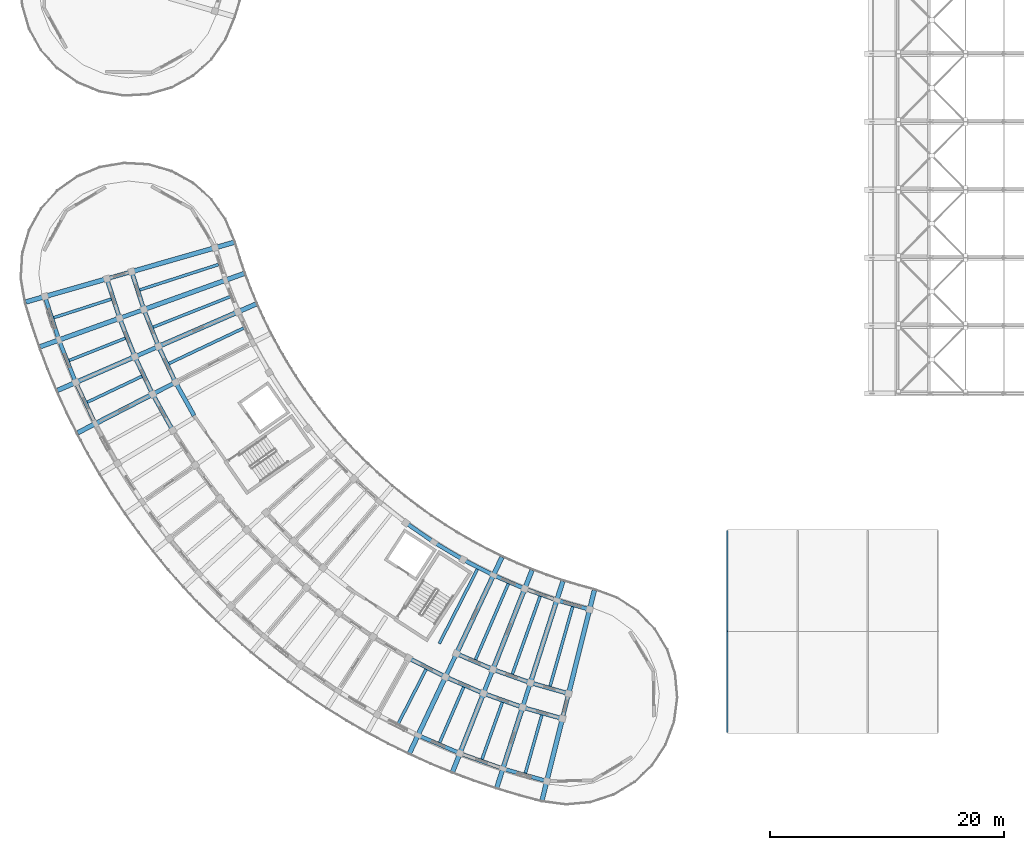
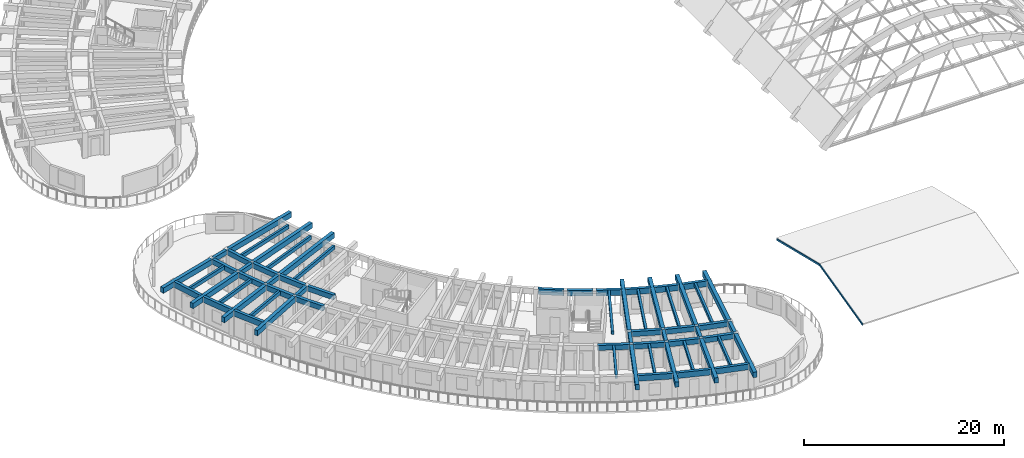
# One storey, part 6 of 81: 64 beams, 2 members.
"""IFC4 building model written with IfcOpenShell, lengths in metres."""

from ifc_helpers import new_model, si_unit, direction, frame, origin, origin_2d, place, context, subcontext, project, spatial, rectangle, hollow_rectangle, extrude, material, material_profile, profile_set, type_object, element, save


model = new_model("IFC4")

# Units and contexts
model_context = context("Model", 3, precision=1e-05, world=origin(), true_north=direction((0.0, 1.0)))
body_context = subcontext(model_context, "Body", "Model", "MODEL_VIEW")
ifc_project = project(units=[si_unit("LENGTHUNIT", "METRE"), si_unit("AREAUNIT", "SQUARE_METRE"), si_unit("VOLUMEUNIT", "CUBIC_METRE"), si_unit("PLANEANGLEUNIT", "RADIAN"), si_unit("MASSUNIT", "GRAM", prefix="KILO")], contexts=[model_context])

# Site, building, storey
site_placement = place(None, origin())
site = spatial("IfcSite", under=ifc_project, at=site_placement, CompositionType="ELEMENT")
building_placement = place(site_placement, origin())
building = spatial("IfcBuilding", under=site, at=building_placement, Name="Tanwirah Colonnade Gardens", CompositionType="ELEMENT")
storey_placement = place(building_placement, frame((0.0, 0.0, 8.840087890625)))
storey = spatial("IfcBuildingStorey", under=building, at=storey_placement, Name="L02", CompositionType="ELEMENT", Elevation=8.840087890625)

# Beams
ifc_material_1 = material(Name="Precast concrete C40/50", Category="concrete")
ifc_material_profile_1 = material_profile(ifc_material_1, rectangle(XDim=0.360107421875, YDim=0.610107421875, at=origin_2d()), Name="PC-BM 360x610")
ifc_profile_set_1 = profile_set([ifc_material_profile_1], Name="Precast concrete C40/50")
beam_type_1 = type_object("IfcBeamType", Name="BM-PC300", PredefinedType="BEAM", material=ifc_profile_set_1)
beam_1_placement = place(storey_placement, frame((15.20458984375, 50.0654296875, 2.7998046875), z_axis=(0.306977410573, -0.951716801048, 0.0), x_axis=(0.951716801048, 0.306977410573, 0.0)))
element("IfcBeam", 1, at=beam_1_placement, inside=storey, type_object=beam_type_1, Name="Block C L02 Circumferential Beam 0-R1", PredefinedType="BEAM", context=body_context, shape_type="SweptSolid", body=[
    extrude(rectangle(XDim=0.360107421875, YDim=0.610107421875, at=origin_2d()), origin(), (0.0, 0.0, 1.0), 3.093017578125),
])
beam_2_placement = place(storey_placement, frame((13.08984375, 49.458984375, 2.7998046875), z_axis=(0.306980742305, -0.951715726388, 0.0), x_axis=(0.951715726388, 0.306980742305, 0.0)))
element("IfcBeam", 2, at=beam_2_placement, inside=storey, type_object=beam_type_1, Name="Block C L02 Circumferential Beam 0-R2", PredefinedType="BEAM", context=body_context, shape_type="SweptSolid", body=[
    extrude(rectangle(XDim=0.360107421875, YDim=0.610107421875, at=origin_2d()), origin(), (0.0, 0.0, 1.0), 3.23681640625),
])
beam_3_placement = place(storey_placement, frame((16.25537109375, 46.839599609375, 2.7998046875), z_axis=(0.368544574427, -0.929610077753, 0.0), x_axis=(0.929610077753, 0.368544574427, 0.0)))
element("IfcBeam", 3, at=beam_3_placement, inside=storey, type_object=beam_type_1, Name="Block C L02 Circumferential Beam 1-R1", PredefinedType="BEAM", context=body_context, shape_type="SweptSolid", body=[
    extrude(rectangle(XDim=0.360107421875, YDim=0.610107421875, at=origin_2d()), origin(), (0.0, 0.0, 1.0), 3.093017578125),
])
beam_4_placement = place(storey_placement, frame((14.184814453125, 46.09619140625, 2.7998046875), z_axis=(0.368527954052, -0.929616666741, 0.0), x_axis=(0.929616666741, 0.368527954052, 0.0)))
element("IfcBeam", 4, at=beam_4_placement, inside=storey, type_object=beam_type_1, Name="Block C L02 Circumferential Beam 1-R2", PredefinedType="BEAM", context=body_context, shape_type="SweptSolid", body=[
    extrude(rectangle(XDim=0.360107421875, YDim=0.610107421875, at=origin_2d()), origin(), (0.0, 0.0, 1.0), 3.23681640625),
])
beam_5_placement = place(storey_placement, frame((17.5146484375, 43.689453125, 2.7998046875), z_axis=(0.428520598641, -0.903532011907, 0.0), x_axis=(0.903532011907, 0.428520598641, 0.0)))
element("IfcBeam", 5, at=beam_5_placement, inside=storey, type_object=beam_type_1, Name="Block C L02 Circumferential Beam 2-R1", PredefinedType="BEAM", context=body_context, shape_type="SweptSolid", body=[
    extrude(rectangle(XDim=0.360107421875, YDim=0.610107421875, at=origin_2d()), origin(), (0.0, 0.0, 1.0), 3.093017578125),
])
beam_6_placement = place(storey_placement, frame((15.4970703125, 42.81201171875, 2.7998046875), z_axis=(0.428562893949, -0.903511951183, 0.0), x_axis=(0.903511951183, 0.428562893949, 0.0)))
element("IfcBeam", 6, at=beam_6_placement, inside=storey, type_object=beam_type_1, Name="Block C L02 Circumferential Beam 2-R2", PredefinedType="BEAM", context=body_context, shape_type="SweptSolid", body=[
    extrude(rectangle(XDim=0.360107421875, YDim=0.610107421875, at=origin_2d()), origin(), (0.0, 0.0, 1.0), 3.23681640625),
])
beam_7_placement = place(storey_placement, frame((18.9775390625, 40.628173828125, 2.7998046875), z_axis=(0.486708181837, -0.873564620239, 0.0), x_axis=(0.873564620239, 0.486708181837, 0.0)))
element("IfcBeam", 7, at=beam_7_placement, inside=storey, type_object=beam_type_1, Name="Block C L02 Circumferential Beam 3-R1", PredefinedType="BEAM", context=body_context, shape_type="SweptSolid", body=[
    extrude(rectangle(XDim=0.360107421875, YDim=0.610107421875, at=origin_2d()), origin(), (0.0, 0.0, 1.0), 3.093017578125),
])
beam_8_placement = place(storey_placement, frame((17.021728515625, 39.620849609375, 2.7998046875), z_axis=(0.486712025227, -0.873562478875, 0.0), x_axis=(0.873562478875, 0.486712025227, 0.0)))
element("IfcBeam", 8, at=beam_8_placement, inside=storey, type_object=beam_type_1, Name="Block C L02 Circumferential Beam 3-R2", PredefinedType="BEAM", context=body_context, shape_type="SweptSolid", body=[
    extrude(rectangle(XDim=0.360107421875, YDim=0.610107421875, at=origin_2d()), origin(), (0.0, 0.0, 1.0), 3.23681640625),
])
beam_9_placement = place(storey_placement, frame((38.929443359375, 17.158447265625, 2.7998046875), z_axis=(0.890025451153, -0.45591084249, 0.0), x_axis=(0.45591084249, 0.890025451153, 0.0)))
element("IfcBeam", 9, at=beam_9_placement, inside=storey, type_object=beam_type_1, Name="Block C L02 Circumferential Beam 12-R2", PredefinedType="BEAM", context=body_context, shape_type="SweptSolid", body=[
    extrude(rectangle(XDim=0.360107421875, YDim=0.610107421875, at=origin_2d()), origin(), (0.0, 0.0, 1.0), 3.237060546875),
])
beam_10_placement = place(storey_placement, frame((43.02001953125, 17.54443359375, 2.7998046875), z_axis=(0.917936292782, -0.396727819032, 0.0), x_axis=(0.396727819032, 0.917936292782, 0.0)))
element("IfcBeam", 10, at=beam_10_placement, inside=storey, type_object=beam_type_1, Name="Block C L02 Circumferential Beam 13-R1", PredefinedType="BEAM", context=body_context, shape_type="SweptSolid", body=[
    extrude(rectangle(XDim=0.360107421875, YDim=0.610107421875, at=origin_2d()), origin(), (0.0, 0.0, 1.0), 3.093017578125),
])
beam_11_placement = place(storey_placement, frame((42.08154296875, 15.5546875, 2.7998046875), z_axis=(0.917943156181, -0.396711938338, 0.0), x_axis=(0.396711938338, 0.917943156181, 0.0)))
element("IfcBeam", 11, at=beam_11_placement, inside=storey, type_object=beam_type_1, Name="Block C L02 Circumferential Beam 13-R2", PredefinedType="BEAM", context=body_context, shape_type="SweptSolid", body=[
    extrude(rectangle(XDim=0.360107421875, YDim=0.610107421875, at=origin_2d()), origin(), (0.0, 0.0, 1.0), 3.237060546875),
])
beam_12_placement = place(storey_placement, frame((46.13818359375, 16.20751953125, 2.7998046875), z_axis=(0.941911444877, -0.335861325564, 0.0), x_axis=(0.335861325564, 0.941911444877, 0.0)))
element("IfcBeam", 12, at=beam_12_placement, inside=storey, type_object=beam_type_1, Name="Block C L02 Circumferential Beam 14-R1", PredefinedType="BEAM", context=body_context, shape_type="SweptSolid", body=[
    extrude(rectangle(XDim=0.360107421875, YDim=0.610107421875, at=origin_2d()), origin(), (0.0, 0.0, 1.0), 3.093017578125),
])
beam_13_placement = place(storey_placement, frame((45.331787109375, 14.16064453125, 2.7998046875), z_axis=(0.941917534978, -0.335844245597, 0.0), x_axis=(0.335844245597, 0.941917534978, 0.0)))
element("IfcBeam", 13, at=beam_13_placement, inside=storey, type_object=beam_type_1, Name="Block C L02 Circumferential Beam 14-R2", PredefinedType="BEAM", context=body_context, shape_type="SweptSolid", body=[
    extrude(rectangle(XDim=0.360107421875, YDim=0.610107421875, at=origin_2d()), origin(), (0.0, 0.0, 1.0), 3.237060546875),
])
beam_14_placement = place(storey_placement, frame((49.337158203125, 15.0771484375, 2.7998046875), z_axis=(0.961865763464, -0.273521942585, 0.0), x_axis=(0.273521942585, 0.961865763464, 0.0)))
element("IfcBeam", 14, at=beam_14_placement, inside=storey, type_object=beam_type_1, Name="Block C L02 Circumferential Beam 15-R1", PredefinedType="BEAM", context=body_context, shape_type="SweptSolid", body=[
    extrude(rectangle(XDim=0.360107421875, YDim=0.610107421875, at=origin_2d()), origin(), (0.0, 0.0, 1.0), 3.0927734375),
])
beam_15_placement = place(storey_placement, frame((48.666259765625, 12.98193359375, 2.7998046875), z_axis=(0.96185623635, -0.273555443366, 0.0), x_axis=(0.273555443366, 0.96185623635, 0.0)))
element("IfcBeam", 15, at=beam_15_placement, inside=storey, type_object=beam_type_1, Name="Block C L02 Circumferential Beam 15-R2", PredefinedType="BEAM", context=body_context, shape_type="SweptSolid", body=[
    extrude(rectangle(XDim=0.360107421875, YDim=0.610107421875, at=origin_2d()), origin(), (0.0, 0.0, 1.0), 3.237060546875),
])
ifc_material_profile_2 = material_profile(ifc_material_1, rectangle(XDim=0.35009765625, YDim=0.550048828125, at=origin_2d()), Name="PC-BM 350x550")
ifc_profile_set_2 = profile_set([ifc_material_profile_2], Name="Precast concrete C40/50")
beam_type_2 = type_object("IfcBeamType", Name="BM-PC350A", PredefinedType="BEAM", material=ifc_profile_set_2)
for number, where, z_axis, x_axis, name in (
    (16, (15.014404296875, 50.166748046875, 2.829833984375), (-0.961266538157, -0.275620468433, 0.0), (0.275620468433, -0.961266538157, 0.0), "Block C L02 Corridor Tie Beam 0"),
    (17, (16.058837890625, 46.92822265625, 2.829833984375), (-0.941214575511, -0.337809299525, 0.0), (0.337809299525, -0.941214575511, 0.0), "Block C L02 Corridor Tie Beam 1"),
):
    element("IfcBeam", number, at=place(storey_placement, frame(where, z_axis=z_axis, x_axis=x_axis)), inside=storey, type_object=beam_type_2, Name=name, PredefinedType="BEAM", context=body_context, shape_type="SweptSolid", body=[
        extrude(rectangle(XDim=0.35009765625, YDim=0.550048828125, at=origin_2d()), origin(), (0.0, 0.0, 1.0), 1.89990234375),
    ])
beam_16_placement = place(storey_placement, frame((17.31298828125, 43.76513671875, 2.829833984375), z_axis=(-0.917025109963, -0.398829471952, 0.0), x_axis=(0.398829471952, -0.917025109963, 0.0)))
element("IfcBeam", 18, at=beam_16_placement, inside=storey, type_object=beam_type_2, Name="Block C L02 Corridor Tie Beam 2", PredefinedType="BEAM", context=body_context, shape_type="SweptSolid", body=[
    extrude(rectangle(XDim=0.35009765625, YDim=0.550048828125, at=origin_2d()), origin(), (0.0, 0.0, 1.0), 1.900146484375),
])
for number, where, z_axis, x_axis, name in (
    (19, (18.77099609375, 40.690673828125, 2.829833984375), (-0.888965044602, -0.457975053334, 0.0), (0.457975053334, -0.888965044602, 0.0), "Block C L02 Corridor Tie Beam 3"),
    (20, (42.818359375, 17.46826171875, 2.829833984375), (-0.426483812015, -0.904495195172, 0.0), (0.904495195172, -0.426483812015, 0.0), "Block C L02 Corridor Tie Beam 13"),
):
    element("IfcBeam", number, at=place(storey_placement, frame(where, z_axis=z_axis, x_axis=x_axis)), inside=storey, type_object=beam_type_2, Name=name, PredefinedType="BEAM", context=body_context, shape_type="SweptSolid", body=[
        extrude(rectangle(XDim=0.35009765625, YDim=0.550048828125, at=origin_2d()), origin(), (0.0, 0.0, 1.0), 1.89990234375),
    ])
beam_17_placement = place(storey_placement, frame((45.94189453125, 16.1181640625, 2.829833984375), z_axis=(-0.366511033969, -0.930413704746, 0.0), x_axis=(0.930413704746, -0.366511033969, 0.0)))
element("IfcBeam", 21, at=beam_17_placement, inside=storey, type_object=beam_type_2, Name="Block C L02 Corridor Tie Beam 14", PredefinedType="BEAM", context=body_context, shape_type="SweptSolid", body=[
    extrude(rectangle(XDim=0.35009765625, YDim=0.550048828125, at=origin_2d()), origin(), (0.0, 0.0, 1.0), 1.899658203125),
])
for number, where, z_axis, x_axis, name in (
    (22, (49.14697265625, 14.975341796875, 2.829833984375), (-0.304794376797, -0.952418179096, 0.0), (0.952418179096, -0.304794376797, 0.0), "Block C L02 Corridor Tie Beam 15"),
    (23, (52.420166015625, 14.044677734375, 2.829833984375), (-0.241961122321, -0.970285945114, 0.0), (0.970285945114, -0.241961122321, 0.0), "Block C L02 Corridor Tie Beam 16"),
):
    element("IfcBeam", number, at=place(storey_placement, frame(where, z_axis=z_axis, x_axis=x_axis)), inside=storey, type_object=beam_type_2, Name=name, PredefinedType="BEAM", context=body_context, shape_type="SweptSolid", body=[
        extrude(rectangle(XDim=0.35009765625, YDim=0.550048828125, at=origin_2d()), origin(), (0.0, 0.0, 1.0), 1.89990234375),
    ])
ifc_material_2 = material(Name="Precast concrete C45/55", Category="concrete")
ifc_material_profile_3 = material_profile(ifc_material_2, rectangle(XDim=0.39990234375, YDim=0.64990234375, at=origin_2d()), Name="PC-BM 400x650")
ifc_profile_set_3 = profile_set([ifc_material_profile_3], Name="Precast concrete C45/55")
beam_type_3 = type_object("IfcBeamType", Name="BM-PC400", PredefinedType="BEAM", material=ifc_profile_set_3)
beam_18_placement = place(storey_placement, frame((15.302734375, 50.24951171875, 2.780029296875), z_axis=(0.961258954076, 0.275646917646, 0.0), x_axis=(-0.275646917646, 0.961258954076, 0.0)))
element("IfcBeam", 24, at=beam_18_placement, inside=storey, type_object=beam_type_3, Name="Block C L02 Inner Radial Precast Girder 0", PredefinedType="BEAM", context=body_context, shape_type="SweptSolid", body=[
    extrude(rectangle(XDim=0.39990234375, YDim=0.64990234375, at=origin_2d()), origin(), (0.0, 0.0, 1.0), 8.949951171875),
])
beam_19_placement = place(storey_placement, frame((12.899658203125, 49.560546875, 2.780029296875), z_axis=(-0.961256910003, -0.275654045811, 0.0), x_axis=(0.275654045811, -0.961256910003, 0.0)))
element("IfcBeam", 25, at=beam_19_placement, inside=storey, type_object=beam_type_3, Name="Block C L02 Outer Radial Precast Girder 0", PredefinedType="BEAM", context=body_context, shape_type="SweptSolid", body=[
    extrude(rectangle(XDim=0.39990234375, YDim=0.64990234375, at=origin_2d()), origin(), (0.0, 0.0, 1.0), 7.050048828125),
])
beam_20_placement = place(storey_placement, frame((16.34130859375, 47.02978515625, 2.780029296875), z_axis=(0.941180212187, 0.337905028356, 0.0), x_axis=(-0.337905028356, 0.941180212187, 0.0)))
element("IfcBeam", 26, at=beam_20_placement, inside=storey, type_object=beam_type_3, Name="Block C L02 Inner Radial Precast Girder 1", PredefinedType="BEAM", context=body_context, shape_type="SweptSolid", body=[
    extrude(rectangle(XDim=0.39990234375, YDim=0.64990234375, at=origin_2d()), origin(), (0.0, 0.0, 1.0), 8.94970703125),
])
beam_21_placement = place(storey_placement, frame((13.98828125, 46.184814453125, 2.780029296875), z_axis=(-0.941174903614, -0.337919814168, 0.0), x_axis=(0.337919814168, -0.941174903614, 0.0)))
element("IfcBeam", 27, at=beam_21_placement, inside=storey, type_object=beam_type_3, Name="Block C L02 Outer Radial Precast Girder 1", PredefinedType="BEAM", context=body_context, shape_type="SweptSolid", body=[
    extrude(rectangle(XDim=0.39990234375, YDim=0.64990234375, at=origin_2d()), origin(), (0.0, 0.0, 1.0), 7.050048828125),
])
beam_22_placement = place(storey_placement, frame((17.587890625, 43.884765625, 2.780029296875), z_axis=(0.917069622575, 0.398727108872, 0.0), x_axis=(-0.398727108872, 0.917069622575, 0.0)))
element("IfcBeam", 28, at=beam_22_placement, inside=storey, type_object=beam_type_3, Name="Block C L02 Inner Radial Precast Girder 2", PredefinedType="BEAM", context=body_context, shape_type="SweptSolid", body=[
    extrude(rectangle(XDim=0.39990234375, YDim=0.64990234375, at=origin_2d()), origin(), (0.0, 0.0, 1.0), 8.949951171875),
])
for number, where, z_axis, x_axis, name in (
    (29, (15.29541015625, 42.8876953125, 2.780029296875), (-0.91706895514, -0.398728643965, 0.0), (0.398728643965, -0.91706895514, 0.0), "Block C L02 Outer Radial Precast Girder 2"),
    (30, (16.815185546875, 39.683349609375, 2.780029296875), (-0.889016420099, -0.457875315774, 0.0), (0.457875315774, -0.889016420099, 0.0), "Block C L02 Outer Radial Precast Girder 3"),
):
    element("IfcBeam", number, at=place(storey_placement, frame(where, z_axis=z_axis, x_axis=x_axis)), inside=storey, type_object=beam_type_3, Name=name, PredefinedType="BEAM", context=body_context, shape_type="SweptSolid", body=[
        extrude(rectangle(XDim=0.39990234375, YDim=0.64990234375, at=origin_2d()), origin(), (0.0, 0.0, 1.0), 7.050048828125),
    ])
beam_23_placement = place(storey_placement, frame((42.9462890625, 17.73974609375, 2.780029296875), z_axis=(0.426582468098, 0.904448670689, 0.0), x_axis=(-0.904448670689, 0.426582468098, 0.0)))
element("IfcBeam", 31, at=beam_23_placement, inside=storey, type_object=beam_type_3, Name="Block C L02 Inner Radial Precast Girder 13", PredefinedType="BEAM", context=body_context, shape_type="SweptSolid", body=[
    extrude(rectangle(XDim=0.39990234375, YDim=0.64990234375, at=origin_2d()), origin(), (0.0, 0.0, 1.0), 8.949951171875),
])
beam_24_placement = place(storey_placement, frame((41.8798828125, 15.478515625, 2.780029296875), z_axis=(-0.426567365945, -0.904455793453, 0.0), x_axis=(0.904455793453, -0.426567365945, 0.0)))
element("IfcBeam", 32, at=beam_24_placement, inside=storey, type_object=beam_type_3, Name="Block C L02 Outer Radial Precast Girder 13", PredefinedType="BEAM", context=body_context, shape_type="SweptSolid", body=[
    extrude(rectangle(XDim=0.39990234375, YDim=0.64990234375, at=origin_2d()), origin(), (0.0, 0.0, 1.0), 7.050048828125),
])
beam_25_placement = place(storey_placement, frame((46.052001953125, 16.3974609375, 2.780029296875), z_axis=(0.36648945479, 0.930422204984, 0.0), x_axis=(-0.930422204984, 0.36648945479, 0.0)))
element("IfcBeam", 33, at=beam_25_placement, inside=storey, type_object=beam_type_3, Name="Block C L02 Inner Radial Precast Girder 14", PredefinedType="BEAM", context=body_context, shape_type="SweptSolid", body=[
    extrude(rectangle(XDim=0.39990234375, YDim=0.64990234375, at=origin_2d()), origin(), (0.0, 0.0, 1.0), 8.949951171875),
])
beam_26_placement = place(storey_placement, frame((45.1357421875, 14.0712890625, 2.780029296875), z_axis=(-0.366525426804, -0.930408034953, 0.0), x_axis=(0.930408034953, -0.366525426804, 0.0)))
element("IfcBeam", 34, at=beam_26_placement, inside=storey, type_object=beam_type_3, Name="Block C L02 Outer Radial Precast Girder 14", PredefinedType="BEAM", context=body_context, shape_type="SweptSolid", body=[
    extrude(rectangle(XDim=0.39990234375, YDim=0.64990234375, at=origin_2d()), origin(), (0.0, 0.0, 1.0), 7.050048828125),
])
beam_27_placement = place(storey_placement, frame((49.238525390625, 15.26123046875, 2.780029296875), z_axis=(0.304862826508, 0.952396270999, 0.0), x_axis=(-0.952396270999, 0.304862826508, 0.0)))
element("IfcBeam", 35, at=beam_27_placement, inside=storey, type_object=beam_type_3, Name="Block C L02 Inner Radial Precast Girder 15", PredefinedType="BEAM", context=body_context, shape_type="SweptSolid", body=[
    extrude(rectangle(XDim=0.39990234375, YDim=0.64990234375, at=origin_2d()), origin(), (0.0, 0.0, 1.0), 8.949951171875),
])
beam_28_placement = place(storey_placement, frame((48.476318359375, 12.880126953125, 2.780029296875), z_axis=(-0.304849862001, -0.952400420851, 0.0), x_axis=(0.952400420851, -0.304849862001, 0.0)))
element("IfcBeam", 36, at=beam_28_placement, inside=storey, type_object=beam_type_3, Name="Block C L02 Outer Radial Precast Girder 15", PredefinedType="BEAM", context=body_context, shape_type="SweptSolid", body=[
    extrude(rectangle(XDim=0.39990234375, YDim=0.64990234375, at=origin_2d()), origin(), (0.0, 0.0, 1.0), 7.050048828125),
])
beam_29_placement = place(storey_placement, frame((52.49267578125, 14.335693359375, 2.780029296875), z_axis=(0.241932243826, 0.970293146115, 0.0), x_axis=(-0.970293146115, 0.241932243826, 0.0)))
element("IfcBeam", 37, at=beam_29_placement, inside=storey, type_object=beam_type_3, Name="Block C L02 Inner Radial Precast Girder 16", PredefinedType="BEAM", context=body_context, shape_type="SweptSolid", body=[
    extrude(rectangle(XDim=0.39990234375, YDim=0.64990234375, at=origin_2d()), origin(), (0.0, 0.0, 1.0), 8.949951171875),
])
beam_30_placement = place(storey_placement, frame((51.887939453125, 11.909912109375, 2.780029296875), z_axis=(-0.241924461086, -0.970295086625, 0.0), x_axis=(0.970295086625, -0.241924461086, 0.0)))
element("IfcBeam", 38, at=beam_30_placement, inside=storey, type_object=beam_type_3, Name="Block C L02 Outer Radial Precast Girder 16", PredefinedType="BEAM", context=body_context, shape_type="SweptSolid", body=[
    extrude(rectangle(XDim=0.39990234375, YDim=0.64990234375, at=origin_2d()), origin(), (0.0, 0.0, 1.0), 7.050048828125),
])
ifc_material_profile_4 = material_profile(ifc_material_1, rectangle(XDim=0.25, YDim=0.449951171875, at=origin_2d()), Name="PC-JST 250x450")
ifc_profile_set_4 = profile_set([ifc_material_profile_4], Name="Precast concrete C40/50")
beam_type_4 = type_object("IfcBeamType", Name="JST-PC250", PredefinedType="JOIST", material=ifc_profile_set_4)
beam_31_placement = place(storey_placement, frame((13.44482421875, 47.873046875, 2.8798828125), z_axis=(-0.95172917624, -0.30693904133, 0.0), x_axis=(0.30693904133, -0.95172917624, 0.0)))
element("IfcBeam", 39, at=beam_31_placement, inside=storey, type_object=beam_type_4, Name="Block C L02 Precast Floor Joist 0", PredefinedType="JOIST", context=body_context, shape_type="SweptSolid", body=[
    extrude(rectangle(XDim=0.25, YDim=0.449951171875, at=origin_2d()), origin(), (0.0, 0.0, 1.0), 5.260009765625),
])
beam_32_placement = place(storey_placement, frame((22.58154296875, 50.819580078125, 2.8798828125), z_axis=(-0.951727255502, -0.30694499692, 0.0), x_axis=(0.30694499692, -0.951727255502, 0.0)))
element("IfcBeam", 40, at=beam_32_placement, inside=storey, type_object=beam_type_4, Name="Block C L02 Inner Precast Floor Joist 0", PredefinedType="JOIST", context=body_context, shape_type="SweptSolid", body=[
    extrude(rectangle(XDim=0.25, YDim=0.449951171875, at=origin_2d()), origin(), (0.0, 0.0, 1.0), 7.16015625),
])
beam_33_placement = place(storey_placement, frame((14.642822265625, 44.53662109375, 2.8798828125), z_axis=(-0.929618207145, -0.368524068338, 0.0), x_axis=(0.368524068338, -0.929618207145, 0.0)))
element("IfcBeam", 41, at=beam_33_placement, inside=storey, type_object=beam_type_4, Name="Block C L02 Precast Floor Joist 1", PredefinedType="JOIST", context=body_context, shape_type="SweptSolid", body=[
    extrude(rectangle(XDim=0.25, YDim=0.449951171875, at=origin_2d()), origin(), (0.0, 0.0, 1.0), 5.260009765625),
])
beam_34_placement = place(storey_placement, frame((23.567138671875, 48.07470703125, 2.8798828125), z_axis=(-0.929619798141, -0.368520054956, 0.0), x_axis=(0.368520054956, -0.929619798141, 0.0)))
element("IfcBeam", 42, at=beam_34_placement, inside=storey, type_object=beam_type_4, Name="Block C L02 Inner Precast Floor Joist 1", PredefinedType="JOIST", context=body_context, shape_type="SweptSolid", body=[
    extrude(rectangle(XDim=0.25, YDim=0.449951171875, at=origin_2d()), origin(), (0.0, 0.0, 1.0), 7.16015625),
])
beam_35_placement = place(storey_placement, frame((16.05615234375, 41.285888671875, 2.8798828125), z_axis=(-0.903517509842, -0.428551174785, 0.0), x_axis=(0.428551174785, -0.903517509842, 0.0)))
element("IfcBeam", 43, at=beam_35_placement, inside=storey, type_object=beam_type_4, Name="Block C L02 Precast Floor Joist 2", PredefinedType="JOIST", context=body_context, shape_type="SweptSolid", body=[
    extrude(rectangle(XDim=0.25, YDim=0.449951171875, at=origin_2d()), origin(), (0.0, 0.0, 1.0), 5.260009765625),
])
beam_36_placement = place(storey_placement, frame((24.72998046875, 45.39990234375, 2.8798828125), z_axis=(-0.903522492189, -0.428540670308, 0.0), x_axis=(0.428540670308, -0.903522492189, 0.0)))
element("IfcBeam", 44, at=beam_36_placement, inside=storey, type_object=beam_type_4, Name="Block C L02 Inner Precast Floor Joist 2", PredefinedType="JOIST", context=body_context, shape_type="SweptSolid", body=[
    extrude(rectangle(XDim=0.25, YDim=0.449951171875, at=origin_2d()), origin(), (0.0, 0.0, 1.0), 7.159912109375),
])
beam_37_placement = place(storey_placement, frame((40.302001953125, 16.287841796875, 2.8798828125), z_axis=(-0.455936851617, -0.890012127635, 0.0), x_axis=(0.890012127635, -0.455936851617, 0.0)))
element("IfcBeam", 45, at=beam_37_placement, inside=storey, type_object=beam_type_4, Name="Block C L02 Precast Floor Joist 12", PredefinedType="JOIST", context=body_context, shape_type="SweptSolid", body=[
    extrude(rectangle(XDim=0.25, YDim=0.449951171875, at=origin_2d()), origin(), (0.0, 0.0, 1.0), 5.260009765625),
])
beam_38_placement = place(storey_placement, frame((44.678955078125, 24.83203125, 2.8798828125), z_axis=(-0.455921327553, -0.890020080157, 0.0), x_axis=(0.890020080157, -0.455921327553, 0.0)))
element("IfcBeam", 46, at=beam_38_placement, inside=storey, type_object=beam_type_4, Name="Block C L02 Inner Precast Floor Joist 12", PredefinedType="JOIST", context=body_context, shape_type="SweptSolid", body=[
    extrude(rectangle(XDim=0.25, YDim=0.449951171875, at=origin_2d()), origin(), (0.0, 0.0, 1.0), 7.159912109375),
])
beam_39_placement = place(storey_placement, frame((43.50830078125, 14.77587890625, 2.8798828125), z_axis=(-0.396746282, -0.917928312952, 0.0), x_axis=(0.917928312952, -0.396746282, 0.0)))
element("IfcBeam", 47, at=beam_39_placement, inside=storey, type_object=beam_type_4, Name="Block C L02 Precast Floor Joist 13", PredefinedType="JOIST", context=body_context, shape_type="SweptSolid", body=[
    extrude(rectangle(XDim=0.25, YDim=0.449951171875, at=origin_2d()), origin(), (0.0, 0.0, 1.0), 5.260009765625),
])
beam_40_placement = place(storey_placement, frame((47.31689453125, 23.587890625, 2.8798828125), z_axis=(-0.396736454079, -0.917932560706, 0.0), x_axis=(0.917932560706, -0.396736454079, 0.0)))
element("IfcBeam", 48, at=beam_40_placement, inside=storey, type_object=beam_type_4, Name="Block C L02 Inner Precast Floor Joist 13", PredefinedType="JOIST", context=body_context, shape_type="SweptSolid", body=[
    extrude(rectangle(XDim=0.25, YDim=0.449951171875, at=origin_2d()), origin(), (0.0, 0.0, 1.0), 7.159912109375),
])
beam_41_placement = place(storey_placement, frame((46.806396484375, 13.4765625, 2.8798828125), z_axis=(-0.335862957845, -0.941910862846, 0.0), x_axis=(0.941910862846, -0.335862957845, 0.0)))
element("IfcBeam", 49, at=beam_41_placement, inside=storey, type_object=beam_type_4, Name="Block C L02 Precast Floor Joist 14", PredefinedType="JOIST", context=body_context, shape_type="SweptSolid", body=[
    extrude(rectangle(XDim=0.25, YDim=0.449951171875, at=origin_2d()), origin(), (0.0, 0.0, 1.0), 5.260009765625),
])
beam_42_placement = place(storey_placement, frame((50.030517578125, 22.51904296875, 2.8798828125), z_axis=(-0.335861148107, -0.941911508154, 0.0), x_axis=(0.941911508154, -0.335861148107, 0.0)))
element("IfcBeam", 50, at=beam_42_placement, inside=storey, type_object=beam_type_4, Name="Block C L02 Inner Precast Floor Joist 14", PredefinedType="JOIST", context=body_context, shape_type="SweptSolid", body=[
    extrude(rectangle(XDim=0.25, YDim=0.449951171875, at=origin_2d()), origin(), (0.0, 0.0, 1.0), 7.16015625),
])
beam_43_placement = place(storey_placement, frame((50.182373046875, 12.39599609375, 2.8798828125), z_axis=(-0.27352550206, -0.961864751263, 0.0), x_axis=(0.961864751263, -0.27352550206, 0.0)))
element("IfcBeam", 51, at=beam_43_placement, inside=storey, type_object=beam_type_4, Name="Block C L02 Precast Floor Joist 15", PredefinedType="JOIST", context=body_context, shape_type="SweptSolid", body=[
    extrude(rectangle(XDim=0.25, YDim=0.449951171875, at=origin_2d()), origin(), (0.0, 0.0, 1.0), 5.260009765625),
])
beam_44_placement = place(storey_placement, frame((52.808349609375, 21.6298828125, 2.8798828125), z_axis=(-0.273532000762, -0.961862903204, 0.0), x_axis=(0.961862903204, -0.273532000762, 0.0)))
element("IfcBeam", 52, at=beam_44_placement, inside=storey, type_object=beam_type_4, Name="Block C L02 Inner Precast Floor Joist 15", PredefinedType="JOIST", context=body_context, shape_type="SweptSolid", body=[
    extrude(rectangle(XDim=0.25, YDim=0.449951171875, at=origin_2d()), origin(), (0.0, 0.0, 1.0), 7.159912109375),
])

# Members
ifc_material_3 = material(Name="Steel S355", Category="steel")
ifc_material_profile_5 = material_profile(ifc_material_3, hollow_rectangle(XDim=0.1201171875, YDim=0.219970703125, WallThickness=0.008056640625, at=origin_2d()), Name="RHS 220x120x8")
ifc_profile_set_5 = profile_set([ifc_material_profile_5], Name="Steel S355")
member_type = type_object("IfcMemberType", Name="RFT-RHS220", PredefinedType="RAFTER", material=ifc_profile_set_5)
for number, where, z_axis, x_axis, name in (
    (53, (66.0, 10.89990234375, -0.150146484375), (0.0, 0.971454957519, 0.23722408291), (-1.0, 0.0, 0.0), "Shop W South Rafter 0"),
    (54, (66.0, 28.10009765625, -0.150146484375), (0.0, -0.971454957519, 0.23722408291), (1.0, 0.0, 0.0), "Shop W North Rafter 0"),
):
    element("IfcMember", number, at=place(storey_placement, frame(where, z_axis=z_axis, x_axis=x_axis)), inside=storey, type_object=member_type, Name=name, PredefinedType="RAFTER", context=body_context, shape_type="SweptSolid", body=[
        extrude(hollow_rectangle(XDim=0.1201171875, YDim=0.219970703125, WallThickness=0.008056640625, at=origin_2d()), origin(), (0.0, 0.0, 1.0), 8.852783203125),
    ])

# Beams
ifc_material_profile_6 = material_profile(ifc_material_1, rectangle(XDim=0.330078125, YDim=0.68994140625, at=origin_2d()), Name="PC-SP 330x690")
ifc_profile_set_6 = profile_set([ifc_material_profile_6], Name="Precast concrete C40/50")
beam_type_5 = type_object("IfcBeamType", Name="SP-PC280", PredefinedType="SPANDREL", material=ifc_profile_set_6)
beam_45_placement = place(storey_placement, frame((7.802978515625, 47.943115234375, 2.760009765625), z_axis=(0.306927419976, -0.951732924127, 0.0), x_axis=(0.951732924127, 0.306927419976, 0.0)))
element("IfcBeam", 55, at=beam_45_placement, inside=storey, type_object=beam_type_5, Name="Block C L02 Circumferential Beam 0-R3", PredefinedType="SPANDREL", context=body_context, shape_type="SweptSolid", body=[
    extrude(rectangle(XDim=0.330078125, YDim=0.68994140625, at=origin_2d()), origin(), (0.0, 0.0, 1.0), 3.596923828125),
])
for number, where, z_axis, x_axis, name in (
    (56, (9.00830078125, 44.237548828125, 2.760009765625), (0.368521552478, -0.929619204491, 0.0), (0.929619204491, 0.368521552478, 0.0), "Block C L02 Circumferential Beam 1-R3"),
    (57, (10.453369140625, 40.618896484375, 2.760009765625), (0.428518139447, -0.903533178231, 0.0), (0.903533178231, 0.428518139447, 0.0), "Block C L02 Circumferential Beam 2-R3"),
):
    element("IfcBeam", number, at=place(storey_placement, frame(where, z_axis=z_axis, x_axis=x_axis)), inside=storey, type_object=beam_type_5, Name=name, PredefinedType="SPANDREL", context=body_context, shape_type="SweptSolid", body=[
        extrude(rectangle(XDim=0.330078125, YDim=0.68994140625, at=origin_2d()), origin(), (0.0, 0.0, 1.0), 3.5966796875),
    ])
beam_46_placement = place(storey_placement, frame((38.68359375, 28.683349609375, 2.760009765625), z_axis=(0.822868771031, -0.568231454305, 0.0), x_axis=(0.568231454305, 0.822868771031, 0.0)))
element("IfcBeam", 58, at=beam_46_placement, inside=storey, type_object=beam_type_5, Name="Block C L02 Circumferential Beam 10-R0", PredefinedType="SPANDREL", context=body_context, shape_type="SweptSolid", body=[
    extrude(rectangle(XDim=0.330078125, YDim=0.68994140625, at=origin_2d()), origin(), (0.0, 0.0, 1.0), 2.60888671875),
])
for number, where, z_axis, x_axis, name in (
    (59, (41.08251953125, 27.038818359375, 2.760009765625), (0.858301131151, -0.513146341958, 0.0), (0.513146341958, 0.858301131151, 0.0), "Block C L02 Circumferential Beam 11-R0"),
    (60, (43.583740234375, 25.5546875, 2.760009765625), (0.890042438658, -0.455877678097, 0.0), (0.455877678097, 0.890042438658, 0.0), "Block C L02 Circumferential Beam 12-R0"),
    (61, (46.1767578125, 24.237548828125, 2.760009765625), (0.917901260915, -0.396808864833, 0.0), (0.396808864833, 0.917901260915, 0.0), "Block C L02 Circumferential Beam 13-R0"),
):
    element("IfcBeam", number, at=place(storey_placement, frame(where, z_axis=z_axis, x_axis=x_axis)), inside=storey, type_object=beam_type_5, Name=name, PredefinedType="SPANDREL", context=body_context, shape_type="SweptSolid", body=[
        extrude(rectangle(XDim=0.330078125, YDim=0.68994140625, at=origin_2d()), origin(), (0.0, 0.0, 1.0), 2.608642578125),
    ])
beam_47_placement = place(storey_placement, frame((39.735595703125, 10.580078125, 2.760009765625), z_axis=(0.917925861765, -0.396751953118, 0.0), x_axis=(0.396751953118, 0.917925861765, 0.0)))
element("IfcBeam", 62, at=beam_47_placement, inside=storey, type_object=beam_type_5, Name="Block C L02 Circumferential Beam 13-R3", PredefinedType="SPANDREL", context=body_context, shape_type="SweptSolid", body=[
    extrude(rectangle(XDim=0.330078125, YDim=0.68994140625, at=origin_2d()), origin(), (0.0, 0.0, 1.0), 3.5966796875),
])
beam_48_placement = place(storey_placement, frame((48.850341796875, 23.092529296875, 2.760009765625), z_axis=(0.941898499992, -0.335897626835, 0.0), x_axis=(0.335897626835, 0.941898499992, 0.0)))
element("IfcBeam", 63, at=beam_48_placement, inside=storey, type_object=beam_type_5, Name="Block C L02 Circumferential Beam 14-R0", PredefinedType="SPANDREL", context=body_context, shape_type="SweptSolid", body=[
    extrude(rectangle(XDim=0.330078125, YDim=0.68994140625, at=origin_2d()), origin(), (0.0, 0.0, 1.0), 2.608642578125),
])
beam_49_placement = place(storey_placement, frame((43.316162109375, 9.043212890625, 2.760009765625), z_axis=(0.941915315404, -0.335850470607, 0.0), x_axis=(0.335850470607, 0.941915315404, 0.0)))
element("IfcBeam", 64, at=beam_49_placement, inside=storey, type_object=beam_type_5, Name="Block C L02 Circumferential Beam 14-R3", PredefinedType="SPANDREL", context=body_context, shape_type="SweptSolid", body=[
    extrude(rectangle(XDim=0.330078125, YDim=0.68994140625, at=origin_2d()), origin(), (0.0, 0.0, 1.0), 3.596923828125),
])
beam_50_placement = place(storey_placement, frame((51.593017578125, 22.125, 2.760009765625), z_axis=(0.961858721299, -0.273546705814, 0.0), x_axis=(0.273546705814, 0.961858721299, 0.0)))
element("IfcBeam", 65, at=beam_50_placement, inside=storey, type_object=beam_type_5, Name="Block C L02 Circumferential Beam 15-R0", PredefinedType="SPANDREL", context=body_context, shape_type="SweptSolid", body=[
    extrude(rectangle(XDim=0.330078125, YDim=0.68994140625, at=origin_2d()), origin(), (0.0, 0.0, 1.0), 2.60888671875),
])
beam_51_placement = place(storey_placement, frame((46.989501953125, 7.743896484375, 2.760009765625), z_axis=(0.96186131547, -0.273537583893, 0.0), x_axis=(0.273537583893, 0.96186131547, 0.0)))
element("IfcBeam", 66, at=beam_51_placement, inside=storey, type_object=beam_type_5, Name="Block C L02 Circumferential Beam 15-R3", PredefinedType="SPANDREL", context=body_context, shape_type="SweptSolid", body=[
    extrude(rectangle(XDim=0.330078125, YDim=0.68994140625, at=origin_2d()), origin(), (0.0, 0.0, 1.0), 3.596923828125),
])

save(model, "model.ifc")
